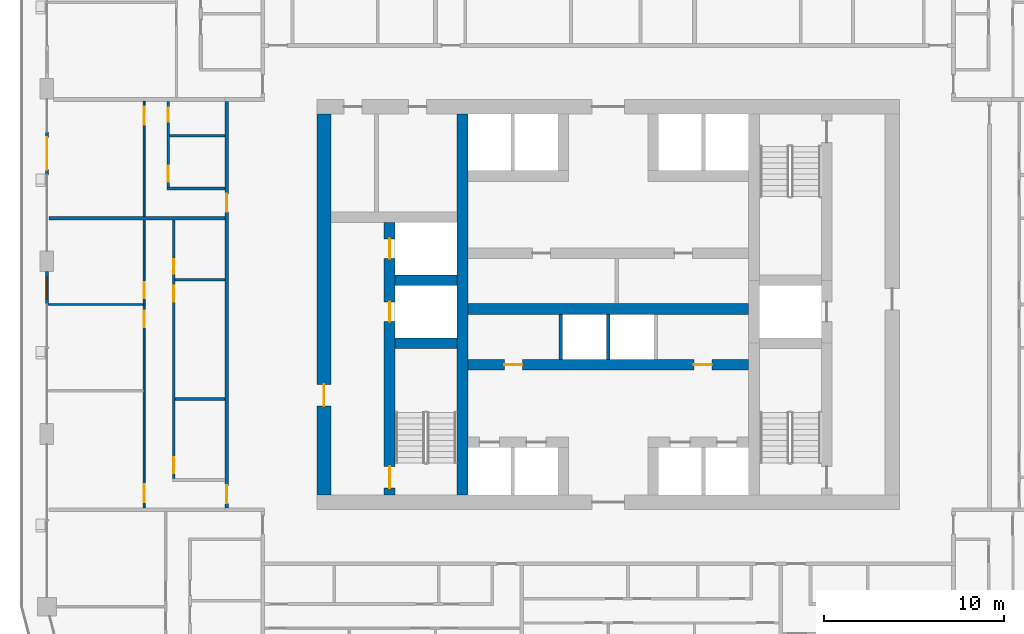
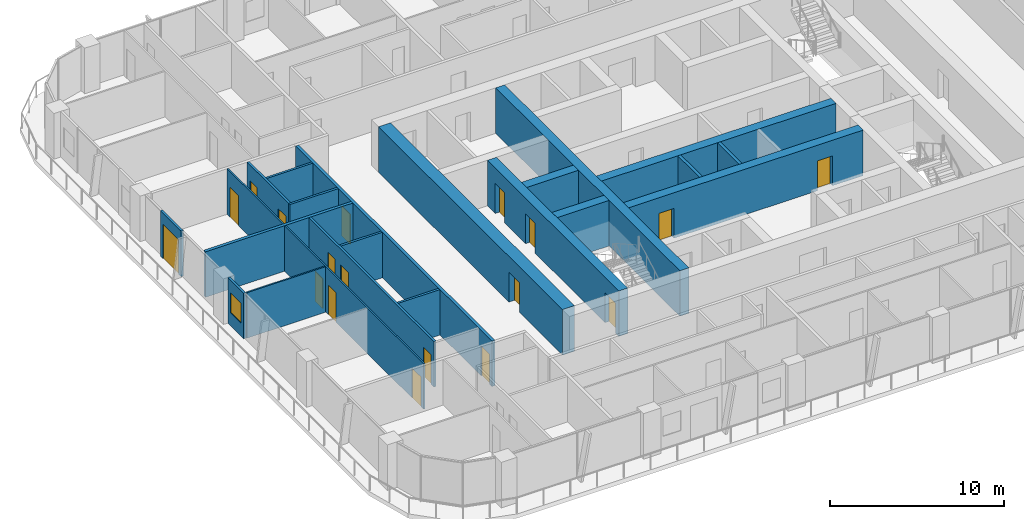
# One storey, part 10 of 22: 22 walls, 18 doors, 1 window, 19 openings.
"""IFC4 building model written with IfcOpenShell, lengths in metres."""

from ifc_helpers import new_model, si_unit, direction, frame, frame_2d, origin, place, context, subcontext, project, spatial, rectangle, extrude, material, layer, layer_set, type_object, element, fill, save


model = new_model("IFC4")

# Units and contexts
model_context = context("Model", 3, precision=1e-05, world=origin(), true_north=direction((0.0, 1.0)))
body_context = subcontext(model_context, "Body", "Model", "MODEL_VIEW")
ifc_project = project(units=[si_unit("LENGTHUNIT", "METRE"), si_unit("AREAUNIT", "SQUARE_METRE"), si_unit("VOLUMEUNIT", "CUBIC_METRE"), si_unit("PLANEANGLEUNIT", "RADIAN"), si_unit("MASSUNIT", "GRAM", prefix="KILO")], contexts=[model_context])

# Site, building, storey
site_placement = place(None, origin())
site = spatial("IfcSite", under=ifc_project, at=site_placement, CompositionType="ELEMENT")
building_placement = place(site_placement, origin())
building = spatial("IfcBuilding", under=site, at=building_placement, Name="Madar Terraces", CompositionType="ELEMENT")
storey_placement = place(building_placement, frame((0.0, 0.0, 129.60009765625)))
storey = spatial("IfcBuildingStorey", under=building, at=storey_placement, Name="L33", CompositionType="ELEMENT", Elevation=129.60009765625)

# Wall, openings, doors
ifc_material_1 = material(Name="Concrete C70/85", Category="concrete")
ifc_layer_1 = layer(ifc_material_1, 0.60009765625)
ifc_layer_set_1 = layer_set([ifc_layer_1], Name="Concrete C70/85 (CIW3 RC wall 600)")
wall_type_1 = type_object("IfcWallType", Name="CIW3 RC wall 600", PredefinedType="SHEAR", material=ifc_layer_set_1)
wall_1_placement = place(storey_placement, frame((19.050048828125, 15.800048828125, 0.0), z_axis=(0.0, 0.0, 1.0), x_axis=(0.0, 1.0, 0.0)))
wall_1 = element("IfcWall", 1, at=wall_1_placement, inside=storey, type_object=wall_type_1, Name="CORE SHAFT WALL", PredefinedType="SHEAR", context=body_context, shape_type="SweptSolid", body=[
    extrude(rectangle(XDim=15.14990234375, YDim=0.60009765625, at=frame_2d((7.574951171875, 0.0))), origin(), (0.0, 0.0, 1.0), 3.199951171875),
])
opening_1_placement = place(wall_1_placement, frame((9.64990234375, 0.0, 0.0)))
opening_1 = element("IfcOpeningElement", 2, at=opening_1_placement, cuts=wall_1, Name="Opening LD", PredefinedType="OPENING", context=body_context, shape_type="SweptSolid", body=[
    extrude(rectangle(XDim=1.10009765625, YDim=2.10009765625, at=frame_2d((0.550048828125, 1.050048828125))), frame((0.0, 0.31005859375, 0.0), z_axis=(0.0, -1.0, 0.0), x_axis=(1.0, 0.0, 0.0)), (0.0, 0.0, 1.0), 0.6201171875),
])
opening_2_placement = place(wall_1_placement, frame((13.14990234375, 0.0, 0.0)))
opening_2 = element("IfcOpeningElement", 3, at=opening_2_placement, cuts=wall_1, Name="Opening LD", PredefinedType="OPENING", context=body_context, shape_type="SweptSolid", body=[
    extrude(rectangle(XDim=1.10009765625, YDim=2.10009765625, at=frame_2d((0.550048828125, 1.050048828125))), frame((0.0, 0.31005859375, 0.0), z_axis=(0.0, -1.0, 0.0), x_axis=(1.0, 0.0, 0.0)), (0.0, 0.0, 1.0), 0.6201171875),
])
opening_3_placement = place(wall_1_placement, frame((0.39990234375, 0.0, 0.0)))
opening_3 = element("IfcOpeningElement", 4, at=opening_3_placement, cuts=wall_1, Name="Opening SD1", PredefinedType="OPENING", context=body_context, shape_type="SweptSolid", body=[
    extrude(rectangle(XDim=1.199951171875, YDim=2.10009765625, at=frame_2d((0.60009765625, 1.050048828125))), frame((0.0, 0.31005859375, 0.0), z_axis=(0.0, -1.0, 0.0), x_axis=(1.0, 0.0, 0.0)), (0.0, 0.0, 1.0), 0.6201171875),
])
ifc_material_2 = material(Name="Stainless steel panel", Category="steel")
door_type_1 = type_object("IfcDoorType", Name="Lift landing door 1100 x 2100", OperationType="DOUBLE_DOOR_SLIDING", PredefinedType="DOOR", material=ifc_material_2)
door_1_placement = place(opening_1_placement, origin())
door_1 = element("IfcDoor", 5, at=door_1_placement, inside=storey, type_object=door_type_1, Name="LIFT LANDING DOOR", OperationType="DOUBLE_DOOR_SLIDING", OverallHeight=2.10009765625, OverallWidth=1.10009765625, PredefinedType="DOOR", context=body_context, shape_type="SweptSolid", body=[
    extrude(rectangle(XDim=1.10009765625, YDim=2.10009765625, at=frame_2d((0.550048828125, 1.050048828125))), frame((0.0, 0.02490234375, 0.0), z_axis=(0.0, -1.0, 0.0), x_axis=(1.0, 0.0, 0.0)), (0.0, 0.0, 1.0), 0.050048828125),
])
fill(opening_1, door_1)
door_2_placement = place(opening_2_placement, origin())
door_2 = element("IfcDoor", 6, at=door_2_placement, inside=storey, type_object=door_type_1, Name="LIFT LANDING DOOR", OperationType="DOUBLE_DOOR_SLIDING", OverallHeight=2.10009765625, OverallWidth=1.10009765625, PredefinedType="DOOR", context=body_context, shape_type="SweptSolid", body=[
    extrude(rectangle(XDim=1.10009765625, YDim=2.10009765625, at=frame_2d((0.550048828125, 1.050048828125))), frame((0.0, 0.02490234375, 0.0), z_axis=(0.0, -1.0, 0.0), x_axis=(1.0, 0.0, 0.0)), (0.0, 0.0, 1.0), 0.050048828125),
])
fill(opening_2, door_2)
ifc_material_3 = material(Name="Steel door leaf", Category="steel")
door_type_2 = type_object("IfcDoorType", Name="Stair door 1200 x 2100", OperationType="NOTDEFINED", PredefinedType="DOOR", material=ifc_material_3)
door_3_placement = place(opening_3_placement, frame((1.199951171875, 0.0, 0.0), z_axis=(0.0, 0.0, 1.0), x_axis=(-1.0, 0.0, 0.0)))
door_3 = element("IfcDoor", 7, at=door_3_placement, inside=storey, type_object=door_type_2, Name="STAIR DOOR", OperationType="SINGLE_SWING_LEFT", OverallHeight=2.10009765625, OverallWidth=1.199951171875, PredefinedType="DOOR", context=body_context, shape_type="SweptSolid", body=[
    extrude(rectangle(XDim=1.199951171875, YDim=2.10009765625, at=frame_2d((0.60009765625, 1.050048828125))), frame((0.0, 0.02490234375, 0.0), z_axis=(0.0, -1.0, 0.0), x_axis=(1.0, 0.0, 0.0)), (0.0, 0.0, 1.0), 0.050048828125),
])
fill(opening_3, door_3)

# Walls
wall_2_placement = place(storey_placement, frame((23.10009765625, 15.800048828125, 0.0), z_axis=(0.0, 0.0, 1.0), x_axis=(0.0, 1.0, 0.0)))
element("IfcWall", 8, at=wall_2_placement, inside=storey, type_object=wall_type_1, Name="CORE SHAFT WALL", PredefinedType="SHEAR", context=body_context, shape_type="SweptSolid", body=[
    extrude(rectangle(XDim=21.199951171875, YDim=0.60009765625, at=frame_2d((10.60009765625, 0.0))), origin(), (0.0, 0.0, 1.0), 3.199951171875),
])
for number, where, z_axis, x_axis, name in (
    (9, (19.35009765625, 24.25, 0.0), (0.0, 0.0, 1.0), (1.0, 0.0, 0.0), "CORE SHAFT WALL"),
    (10, (19.35009765625, 27.75, 0.0), (0.0, 0.0, 1.0), (1.0, 0.0, 0.0), "CORE SHAFT WALL"),
):
    element("IfcWall", number, at=place(storey_placement, frame(where, z_axis=z_axis, x_axis=x_axis)), inside=storey, type_object=wall_type_1, Name=name, PredefinedType="SHEAR", context=body_context, shape_type="SweptSolid", body=[
        extrude(rectangle(XDim=3.449951171875, YDim=0.60009765625, at=frame_2d((1.72509765625, 0.0))), origin(), (0.0, 0.0, 1.0), 3.199951171875),
    ])

# Wall, openings, doors
wall_3_placement = place(storey_placement, frame((23.39990234375, 23.050048828125, 0.0), z_axis=(0.0, 0.0, 1.0), x_axis=(1.0, 0.0, 0.0)))
wall_3 = element("IfcWall", 11, at=wall_3_placement, inside=storey, type_object=wall_type_1, Name="CORE SHAFT WALL", PredefinedType="SHEAR", context=body_context, shape_type="SweptSolid", body=[
    extrude(rectangle(XDim=15.60009765625, YDim=0.60009765625, at=frame_2d((7.800048828125, 0.0))), origin(), (0.0, 0.0, 1.0), 3.199951171875),
])
opening_4_placement = place(wall_3_placement, frame((2.033447265625, 0.0, 0.0)))
opening_4 = element("IfcOpeningElement", 12, at=opening_4_placement, cuts=wall_3, Name="Opening KD2", PredefinedType="OPENING", context=body_context, shape_type="SweptSolid", body=[
    extrude(rectangle(XDim=1.0, YDim=2.10009765625, at=frame_2d((0.5, 1.050048828125))), frame((0.0, 0.31005859375, 0.0), z_axis=(0.0, -1.0, 0.0), x_axis=(1.0, 0.0, 0.0)), (0.0, 0.0, 1.0), 0.6201171875),
])
opening_5_placement = place(wall_3_placement, frame((12.566650390625, 0.0, 0.0)))
opening_5 = element("IfcOpeningElement", 13, at=opening_5_placement, cuts=wall_3, Name="Opening KD2", PredefinedType="OPENING", context=body_context, shape_type="SweptSolid", body=[
    extrude(rectangle(XDim=1.0, YDim=2.10009765625, at=frame_2d((0.5, 1.050048828125))), frame((0.0, 0.31005859375, 0.0), z_axis=(0.0, -1.0, 0.0), x_axis=(1.0, 0.0, 0.0)), (0.0, 0.0, 1.0), 0.6201171875),
])
ifc_material_4 = material(Name="Steel door leaf", Category="steel")
door_type_3 = type_object("IfcDoorType", Name="Service room door 1000 x 2100", OperationType="NOTDEFINED", PredefinedType="DOOR", material=ifc_material_4)
door_4_placement = place(opening_4_placement, frame((1.0, 0.0, 0.0), z_axis=(0.0, 0.0, 1.0), x_axis=(-1.0, 0.0, 0.0)))
door_4 = element("IfcDoor", 14, at=door_4_placement, inside=storey, type_object=door_type_3, Name="SERVICE ROOM DOOR", OperationType="SINGLE_SWING_RIGHT", OverallHeight=2.10009765625, OverallWidth=1.0, PredefinedType="DOOR", context=body_context, shape_type="SweptSolid", body=[
    extrude(rectangle(XDim=1.0, YDim=2.10009765625, at=frame_2d((0.5, 1.050048828125))), frame((0.0, 0.02490234375, 0.0), z_axis=(0.0, -1.0, 0.0), x_axis=(1.0, 0.0, 0.0)), (0.0, 0.0, 1.0), 0.050048828125),
])
fill(opening_4, door_4)
door_5_placement = place(opening_5_placement, frame((1.0, 0.0, 0.0), z_axis=(0.0, 0.0, 1.0), x_axis=(-1.0, 0.0, 0.0)))
door_5 = element("IfcDoor", 15, at=door_5_placement, inside=storey, type_object=door_type_3, Name="SERVICE ROOM DOOR", OperationType="SINGLE_SWING_LEFT", OverallHeight=2.10009765625, OverallWidth=1.0, PredefinedType="DOOR", context=body_context, shape_type="SweptSolid", body=[
    extrude(rectangle(XDim=1.0, YDim=2.10009765625, at=frame_2d((0.5, 1.050048828125))), frame((0.0, 0.02490234375, 0.0), z_axis=(0.0, -1.0, 0.0), x_axis=(1.0, 0.0, 0.0)), (0.0, 0.0, 1.0), 0.050048828125),
])
fill(opening_5, door_5)

# Wall
wall_4_placement = place(storey_placement, frame((23.39990234375, 26.14990234375, 0.0), z_axis=(0.0, 0.0, 1.0), x_axis=(1.0, 0.0, 0.0)))
element("IfcWall", 16, at=wall_4_placement, inside=storey, type_object=wall_type_1, Name="CORE SHAFT WALL", PredefinedType="SHEAR", context=body_context, shape_type="SweptSolid", body=[
    extrude(rectangle(XDim=15.60009765625, YDim=0.60009765625, at=frame_2d((7.800048828125, 0.0))), origin(), (0.0, 0.0, 1.0), 3.199951171875),
])

# Wall, opening, door
ifc_material_5 = material(Name="Concrete C70/85", Category="concrete")
ifc_layer_2 = layer(ifc_material_5, 0.800048828125)
ifc_layer_set_2 = layer_set([ifc_layer_2], Name="Concrete C70/85 (CRW3 RC wall 800)")
wall_type_2 = type_object("IfcWallType", Name="CRW3 RC wall 800", PredefinedType="SHEAR", material=ifc_layer_set_2)
wall_5_placement = place(storey_placement, frame((15.39990234375, 15.800048828125, 0.0), z_axis=(0.0, 0.0, 1.0), x_axis=(0.0, 1.0, 0.0)))
wall_5 = element("IfcWall", 17, at=wall_5_placement, inside=storey, type_object=wall_type_2, Name="CORE OUTER WALL", PredefinedType="SHEAR", context=body_context, shape_type="SweptSolid", body=[
    extrude(rectangle(XDim=21.199951171875, YDim=0.800048828125, at=frame_2d((10.60009765625, 0.0))), origin(), (0.0, 0.0, 1.0), 3.199951171875),
])
opening_6_placement = place(wall_5_placement, frame((4.9599609375, 0.0, 0.0)))
opening_6 = element("IfcOpeningElement", 18, at=opening_6_placement, cuts=wall_5, Name="Opening SD1", PredefinedType="OPENING", context=body_context, shape_type="SweptSolid", body=[
    extrude(rectangle(XDim=1.199951171875, YDim=2.10009765625, at=frame_2d((0.60009765625, 1.050048828125))), frame((0.0, 0.409912109375, 0.0), z_axis=(0.0, -1.0, 0.0), x_axis=(1.0, 0.0, 0.0)), (0.0, 0.0, 1.0), 0.820068359375),
])
door_6_placement = place(opening_6_placement, frame((1.199951171875, 0.0, 0.0), z_axis=(0.0, 0.0, 1.0), x_axis=(-1.0, 0.0, 0.0)))
door_6 = element("IfcDoor", 19, at=door_6_placement, inside=storey, type_object=door_type_2, Name="STAIR DOOR", OperationType="SINGLE_SWING_RIGHT", OverallHeight=2.10009765625, OverallWidth=1.199951171875, PredefinedType="DOOR", context=body_context, shape_type="SweptSolid", body=[
    extrude(rectangle(XDim=1.199951171875, YDim=2.10009765625, at=frame_2d((0.60009765625, 1.050048828125))), frame((0.0, 0.02490234375, 0.0), z_axis=(0.0, -1.0, 0.0), x_axis=(1.0, 0.0, 0.0)), (0.0, 0.0, 1.0), 0.050048828125),
])
fill(opening_6, door_6)

# Walls
ifc_material_6 = material(Name="Concrete C40/50", Category="concrete")
ifc_layer_3 = layer(ifc_material_6, 0.199951171875)
ifc_layer_set_3 = layer_set([ifc_layer_3], Name="Core shaft dividing wall 200 C40/50")
wall_type_3 = type_object("IfcWallType", Name="Core shaft dividing wall 200 C40/50", PredefinedType="SOLIDWALL", material=ifc_layer_set_3)
for number, where, z_axis, x_axis, name in (
    (20, (28.566650390625, 23.35009765625, 0.0), (0.0, 0.0, 1.0), (0.0, 1.0, 0.0), "SHAFT DIVIDING WALL"),
    (21, (31.199951171875, 23.35009765625, 0.0), (0.0, 0.0, 1.0), (0.0, 1.0, 0.0), "SHAFT DIVIDING WALL"),
):
    element("IfcWall", number, at=place(storey_placement, frame(where, z_axis=z_axis, x_axis=x_axis)), inside=storey, type_object=wall_type_3, Name=name, PredefinedType="SOLIDWALL", context=body_context, shape_type="SweptSolid", body=[
        extrude(rectangle(XDim=2.5, YDim=0.199951171875, at=frame_2d((1.25, 0.0))), origin(), (0.0, 0.0, 1.0), 3.199951171875),
    ])

# Wall, opening, door
ifc_material_7 = material(Name="Aluminium composite panel, black, over insulated backing", Category="aluminium")
ifc_layer_4 = layer(ifc_material_7, 0.14990234375)
ifc_layer_set_4 = layer_set([ifc_layer_4], Name="Facade bay panel 150")
wall_type_4 = type_object("IfcWallType", Name="Facade bay panel 150", PredefinedType="SOLIDWALL", material=ifc_layer_set_4)
wall_6_placement = place(storey_placement, frame((0.0, 36.0, 0.0), z_axis=(0.0, 0.0, 1.0), x_axis=(0.0, -1.0, 0.0)))
wall_6 = element("IfcWall", 22, at=wall_6_placement, inside=storey, type_object=wall_type_4, Name="Facade bay panel", PredefinedType="SOLIDWALL", context=body_context, shape_type="SweptSolid", body=[
    extrude(rectangle(XDim=2.39990234375, YDim=0.14990234375, at=frame_2d((1.199951171875, 0.0))), origin(), (0.0, 0.0, 1.0), 3.199951171875),
])
opening_7_placement = place(wall_6_placement, frame((0.300048828125, 0.0, 0.0)))
opening_7 = element("IfcOpeningElement", 23, at=opening_7_placement, cuts=wall_6, Name="Opening ED1", PredefinedType="OPENING", context=body_context, shape_type="SweptSolid", body=[
    extrude(rectangle(XDim=1.800048828125, YDim=2.39990234375, at=frame_2d((0.89990234375, 1.199951171875))), frame((0.0, 0.0849609375, 0.0), z_axis=(0.0, -1.0, 0.0), x_axis=(1.0, 0.0, 0.0)), (0.0, 0.0, 1.0), 0.169921875),
])
ifc_material_8 = material(Name="Glass, clear, with black aluminium frame", Category="aluminium")
door_type_4 = type_object("IfcDoorType", Name="Balcony and terrace sliding door 1800 x 2400", OperationType="SLIDING_TO_LEFT", PredefinedType="DOOR", material=ifc_material_8)
door_7_placement = place(opening_7_placement, origin())
door_7 = element("IfcDoor", 24, at=door_7_placement, inside=storey, type_object=door_type_4, Name="Balcony door", OperationType="SLIDING_TO_LEFT", OverallHeight=2.39990234375, OverallWidth=1.800048828125, PredefinedType="DOOR", context=body_context, shape_type="SweptSolid", body=[
    extrude(rectangle(XDim=1.800048828125, YDim=2.39990234375, at=frame_2d((0.89990234375, 1.199951171875))), frame((0.0, 0.02490234375, 0.0), z_axis=(0.0, -1.0, 0.0), x_axis=(1.0, 0.0, 0.0)), (0.0, 0.0, 1.0), 0.050048828125),
])
fill(opening_7, door_7)

# Wall, opening, window
wall_7_placement = place(storey_placement, frame((0.0, 28.22509765625, 0.0), z_axis=(0.0, 0.0, 1.0), x_axis=(0.0, -1.0, 0.0)))
wall_7 = element("IfcWall", 25, at=wall_7_placement, inside=storey, type_object=wall_type_4, Name="Facade bay panel", PredefinedType="SOLIDWALL", context=body_context, shape_type="SweptSolid", body=[
    extrude(rectangle(XDim=1.8251953125, YDim=0.14990234375, at=frame_2d((0.91259765625, 0.0))), origin(), (0.0, 0.0, 1.0), 3.199951171875),
])
opening_8_placement = place(wall_7_placement, frame((0.3125, 0.0, 0.89990234375)))
opening_8 = element("IfcOpeningElement", 26, at=opening_8_placement, cuts=wall_7, Name="Opening W1", PredefinedType="OPENING", context=body_context, shape_type="SweptSolid", body=[
    extrude(rectangle(XDim=1.199951171875, YDim=1.39990234375, at=frame_2d((0.60009765625, 0.699951171875))), frame((0.0, 0.0849609375, 0.0), z_axis=(0.0, -1.0, 0.0), x_axis=(1.0, 0.0, 0.0)), (0.0, 0.0, 1.0), 0.169921875),
])
ifc_material_9 = material(Name="Glass, clear, with black aluminium frame", Category="aluminium")
window_type = type_object("IfcWindowType", Name="Vent window 1200 x 1400", PartitioningType="SINGLE_PANEL", PredefinedType="WINDOW", material=ifc_material_9)
window_placement = place(opening_8_placement, origin())
window = element("IfcWindow", 27, at=window_placement, inside=storey, type_object=window_type, Name="Operable vent window", OverallHeight=1.39990234375, OverallWidth=1.199951171875, PartitioningType="SINGLE_PANEL", PredefinedType="WINDOW", context=body_context, shape_type="SweptSolid", body=[
    extrude(rectangle(XDim=1.199951171875, YDim=1.39990234375, at=frame_2d((0.60009765625, 0.699951171875))), frame((0.0, 0.030029296875, 0.0), z_axis=(0.0, -1.0, 0.0), x_axis=(1.0, 0.0, 0.0)), (0.0, 0.0, 1.0), 0.06005859375),
])
fill(opening_8, window)

# Wall, opening, door
ifc_material_10 = material(Name="Gypsum board on steel studs", Category="steel")
ifc_layer_5 = layer(ifc_material_10, 0.10009765625)
ifc_layer_set_5 = layer_set([ifc_layer_5], Name="Flat partition 100")
wall_type_5 = type_object("IfcWallType", Name="Flat partition 100", PredefinedType="PARTITIONING", material=ifc_layer_set_5)
wall_8_placement = place(storey_placement, frame((5.39990234375, 31.300048828125, 0.0), z_axis=(0.0, 0.0, 1.0), x_axis=(0.0, 1.0, 0.0)))
wall_8 = element("IfcWall", 28, at=wall_8_placement, inside=storey, type_object=wall_type_5, Name="Flat partition 100", PredefinedType="PARTITIONING", context=body_context, shape_type="SweptSolid", body=[
    extrude(rectangle(XDim=6.39990234375, YDim=0.10009765625, at=frame_2d((3.199951171875, 0.0))), origin(), (0.0, 0.0, 1.0), 3.199951171875),
])
opening_9_placement = place(wall_8_placement, frame((5.10009765625, 0.0, 0.0)))
opening_9 = element("IfcOpeningElement", 29, at=opening_9_placement, cuts=wall_8, Name="Opening D3", PredefinedType="OPENING", context=body_context, shape_type="SweptSolid", body=[
    extrude(rectangle(XDim=1.0, YDim=2.10009765625, at=frame_2d((0.5, 1.050048828125))), frame((0.0, 0.06005859375, 0.0), z_axis=(0.0, -1.0, 0.0), x_axis=(1.0, 0.0, 0.0)), (0.0, 0.0, 1.0), 0.1201171875),
])
ifc_material_11 = material(Name="Timber door leaf", Category="wood")
door_type_5 = type_object("IfcDoorType", Name="Flat living room door 1000", OperationType="NOTDEFINED", PredefinedType="DOOR", material=ifc_material_11)
door_8_placement = place(opening_9_placement, origin())
door_8 = element("IfcDoor", 30, at=door_8_placement, inside=storey, type_object=door_type_5, Name="Flat living room door 1000", OperationType="SINGLE_SWING_RIGHT", OverallHeight=2.10009765625, OverallWidth=1.0, PredefinedType="DOOR", context=body_context, shape_type="SweptSolid", body=[
    extrude(rectangle(XDim=1.0, YDim=2.10009765625, at=frame_2d((0.5, 1.050048828125))), frame((0.0, 0.02490234375, 0.0), z_axis=(0.0, -1.0, 0.0), x_axis=(1.0, 0.0, 0.0)), (0.0, 0.0, 1.0), 0.050048828125),
])
fill(opening_9, door_8)

# Wall
wall_9_placement = place(storey_placement, frame((5.35009765625, 26.39990234375, 0.0), z_axis=(0.0, 0.0, 1.0), x_axis=(-1.0, 0.0, 0.0)))
element("IfcWall", 31, at=wall_9_placement, inside=storey, type_object=wall_type_5, Name="Flat partition 100", PredefinedType="PARTITIONING", context=body_context, shape_type="SweptSolid", body=[
    extrude(rectangle(XDim=5.25, YDim=0.10009765625, at=frame_2d((2.625, 0.0))), origin(), (0.0, 0.0, 1.0), 3.199951171875),
])

# Wall, openings, doors
wall_10_placement = place(storey_placement, frame((5.39990234375, 15.10009765625, 0.0), z_axis=(0.0, 0.0, 1.0), x_axis=(0.0, 1.0, 0.0)))
wall_10 = element("IfcWall", 32, at=wall_10_placement, inside=storey, type_object=wall_type_5, Name="Flat partition 100", PredefinedType="PARTITIONING", context=body_context, shape_type="SweptSolid", body=[
    extrude(rectangle(XDim=16.0, YDim=0.10009765625, at=frame_2d((8.0, 0.0))), origin(), (0.0, 0.0, 1.0), 3.199951171875),
])
opening_10_placement = place(wall_10_placement, frame((0.300048828125, 0.0, 0.0)))
opening_10 = element("IfcOpeningElement", 33, at=opening_10_placement, cuts=wall_10, Name="Opening D3", PredefinedType="OPENING", context=body_context, shape_type="SweptSolid", body=[
    extrude(rectangle(XDim=1.0, YDim=2.10009765625, at=frame_2d((0.5, 1.050048828125))), frame((0.0, 0.06005859375, 0.0), z_axis=(0.0, -1.0, 0.0), x_axis=(1.0, 0.0, 0.0)), (0.0, 0.0, 1.0), 0.1201171875),
])
opening_11_placement = place(wall_10_placement, frame((10.050048828125, 0.0, 0.0)))
opening_11 = element("IfcOpeningElement", 34, at=opening_11_placement, cuts=wall_10, Name="Opening D2", PredefinedType="OPENING", context=body_context, shape_type="SweptSolid", body=[
    extrude(rectangle(XDim=0.89990234375, YDim=2.10009765625, at=frame_2d((0.449951171875, 1.050048828125))), frame((0.0, 0.06005859375, 0.0), z_axis=(0.0, -1.0, 0.0), x_axis=(1.0, 0.0, 0.0)), (0.0, 0.0, 1.0), 0.1201171875),
])
opening_12_placement = place(wall_10_placement, frame((11.64990234375, 0.0, 0.0)))
opening_12 = element("IfcOpeningElement", 35, at=opening_12_placement, cuts=wall_10, Name="Opening D2", PredefinedType="OPENING", context=body_context, shape_type="SweptSolid", body=[
    extrude(rectangle(XDim=0.89990234375, YDim=2.10009765625, at=frame_2d((0.449951171875, 1.050048828125))), frame((0.0, 0.06005859375, 0.0), z_axis=(0.0, -1.0, 0.0), x_axis=(1.0, 0.0, 0.0)), (0.0, 0.0, 1.0), 0.1201171875),
])
door_9_placement = place(opening_10_placement, origin())
door_9 = element("IfcDoor", 36, at=door_9_placement, inside=storey, type_object=door_type_5, Name="Flat living room door 1000", OperationType="SINGLE_SWING_LEFT", OverallHeight=2.10009765625, OverallWidth=1.0, PredefinedType="DOOR", context=body_context, shape_type="SweptSolid", body=[
    extrude(rectangle(XDim=1.0, YDim=2.10009765625, at=frame_2d((0.5, 1.050048828125))), frame((0.0, 0.02490234375, 0.0), z_axis=(0.0, -1.0, 0.0), x_axis=(1.0, 0.0, 0.0)), (0.0, 0.0, 1.0), 0.050048828125),
])
fill(opening_10, door_9)
ifc_material_12 = material(Name="Timber door leaf", Category="wood")
door_type_6 = type_object("IfcDoorType", Name="Flat room door 900", OperationType="NOTDEFINED", PredefinedType="DOOR", material=ifc_material_12)
door_10_placement = place(opening_11_placement, origin())
door_10 = element("IfcDoor", 37, at=door_10_placement, inside=storey, type_object=door_type_6, Name="Flat room door 900", OperationType="SINGLE_SWING_RIGHT", OverallHeight=2.10009765625, OverallWidth=0.89990234375, PredefinedType="DOOR", context=body_context, shape_type="SweptSolid", body=[
    extrude(rectangle(XDim=0.89990234375, YDim=2.10009765625, at=frame_2d((0.449951171875, 1.050048828125))), frame((0.0, 0.02490234375, 0.0), z_axis=(0.0, -1.0, 0.0), x_axis=(1.0, 0.0, 0.0)), (0.0, 0.0, 1.0), 0.050048828125),
])
fill(opening_11, door_10)
door_11_placement = place(opening_12_placement, origin())
door_11 = element("IfcDoor", 38, at=door_11_placement, inside=storey, type_object=door_type_6, Name="Flat room door 900", OperationType="SINGLE_SWING_LEFT", OverallHeight=2.10009765625, OverallWidth=0.89990234375, PredefinedType="DOOR", context=body_context, shape_type="SweptSolid", body=[
    extrude(rectangle(XDim=0.89990234375, YDim=2.10009765625, at=frame_2d((0.449951171875, 1.050048828125))), frame((0.0, 0.02490234375, 0.0), z_axis=(0.0, -1.0, 0.0), x_axis=(1.0, 0.0, 0.0)), (0.0, 0.0, 1.0), 0.050048828125),
])
fill(opening_12, door_11)

ifc_material_13 = material(Name="Lightweight blockwork", Category="masonry")
ifc_layer_6 = layer(ifc_material_13, 0.199951171875)
ifc_layer_set_6 = layer_set([ifc_layer_6], Name="Flat party and entrance wall 200")
wall_type_6 = type_object("IfcWallType", Name="Flat party and entrance wall 200", PredefinedType="PARTITIONING", material=ifc_layer_set_6)
wall_11_placement = place(storey_placement, frame((10.0, 15.10009765625, 0.0), z_axis=(0.0, 0.0, 1.0), x_axis=(0.0, 1.0, 0.0)))
wall_11 = element("IfcWall", 39, at=wall_11_placement, inside=storey, type_object=wall_type_6, Name="Flat party and entrance wall 200", PredefinedType="PARTITIONING", context=body_context, shape_type="SweptSolid", body=[
    extrude(rectangle(XDim=22.599853515625, YDim=0.199951171875, at=frame_2d((11.2998046875, 0.0))), origin(), (0.0, 0.0, 1.0), 3.199951171875),
])
opening_13_placement = place(wall_11_placement, frame((16.449951171875, 0.0, 0.0)))
opening_13 = element("IfcOpeningElement", 40, at=opening_13_placement, cuts=wall_11, Name="Opening D1", PredefinedType="OPENING", context=body_context, shape_type="SweptSolid", body=[
    extrude(rectangle(XDim=1.0, YDim=2.10009765625, at=frame_2d((0.5, 1.050048828125))), frame((0.0, 0.10986328125, 0.0), z_axis=(0.0, -1.0, 0.0), x_axis=(1.0, 0.0, 0.0)), (0.0, 0.0, 1.0), 0.219970703125),
])
opening_14_placement = place(wall_11_placement, frame((0.25, 0.0, 0.0)))
opening_14 = element("IfcOpeningElement", 41, at=opening_14_placement, cuts=wall_11, Name="Opening D1", PredefinedType="OPENING", context=body_context, shape_type="SweptSolid", body=[
    extrude(rectangle(XDim=1.0, YDim=2.10009765625, at=frame_2d((0.5, 1.050048828125))), frame((0.0, 0.10986328125, 0.0), z_axis=(0.0, -1.0, 0.0), x_axis=(1.0, 0.0, 0.0)), (0.0, 0.0, 1.0), 0.219970703125),
])
ifc_material_14 = material(Name="Timber fire door leaf", Category="wood")
door_type_7 = type_object("IfcDoorType", Name="Flat entrance door 1000 FD30S", OperationType="NOTDEFINED", PredefinedType="DOOR", material=ifc_material_14)
door_12_placement = place(opening_13_placement, origin())
door_12 = element("IfcDoor", 42, at=door_12_placement, inside=storey, type_object=door_type_7, Name="Flat entrance door 1000 FD30S", OperationType="SINGLE_SWING_LEFT", OverallHeight=2.10009765625, OverallWidth=1.0, PredefinedType="DOOR", context=body_context, shape_type="SweptSolid", body=[
    extrude(rectangle(XDim=1.0, YDim=2.10009765625, at=frame_2d((0.5, 1.050048828125))), frame((0.0, 0.02490234375, 0.0), z_axis=(0.0, -1.0, 0.0), x_axis=(1.0, 0.0, 0.0)), (0.0, 0.0, 1.0), 0.050048828125),
])
fill(opening_13, door_12)
door_13_placement = place(opening_14_placement, origin())
door_13 = element("IfcDoor", 43, at=door_13_placement, inside=storey, type_object=door_type_7, Name="Flat entrance door 1000 FD30S", OperationType="SINGLE_SWING_LEFT", OverallHeight=2.10009765625, OverallWidth=1.0, PredefinedType="DOOR", context=body_context, shape_type="SweptSolid", body=[
    extrude(rectangle(XDim=1.0, YDim=2.10009765625, at=frame_2d((0.5, 1.050048828125))), frame((0.0, 0.02490234375, 0.0), z_axis=(0.0, -1.0, 0.0), x_axis=(1.0, 0.0, 0.0)), (0.0, 0.0, 1.0), 0.050048828125),
])
fill(opening_14, door_13)

# Walls
wall_12_placement = place(storey_placement, frame((0.10009765625, 31.199951171875, 0.0), z_axis=(0.0, 0.0, 1.0), x_axis=(1.0, 0.0, 0.0)))
element("IfcWall", 44, at=wall_12_placement, inside=storey, type_object=wall_type_6, Name="Flat party and entrance wall 200", PredefinedType="PARTITIONING", context=body_context, shape_type="SweptSolid", body=[
    extrude(rectangle(XDim=9.7998046875, YDim=0.199951171875, at=frame_2d((4.89990234375, 0.0))), origin(), (0.0, 0.0, 1.0), 3.199951171875),
])
ifc_material_15 = material(Name="Lightweight blockwork", Category="masonry")
ifc_layer_7 = layer(ifc_material_15, 0.14990234375)
ifc_layer_set_7 = layer_set([ifc_layer_7], Name="Flat wet-room partition 150")
wall_type_7 = type_object("IfcWallType", Name="Flat wet-room partition 150", PredefinedType="PARTITIONING", material=ifc_layer_set_7)
wall_13_placement = place(storey_placement, frame((9.89990234375, 35.7900390625, 0.0), z_axis=(0.0, 0.0, 1.0), x_axis=(-1.0, 0.0, 0.0)))
element("IfcWall", 45, at=wall_13_placement, inside=storey, type_object=wall_type_7, Name="Flat wet-room partition 150", PredefinedType="PARTITIONING", context=body_context, shape_type="SweptSolid", body=[
    extrude(rectangle(XDim=3.074951171875, YDim=0.14990234375, at=frame_2d((1.53759765625, 0.0))), origin(), (0.0, 0.0, 1.0), 3.199951171875),
])
wall_14_placement = place(storey_placement, frame((9.89990234375, 32.85009765625, 0.0), z_axis=(0.0, 0.0, 1.0), x_axis=(-1.0, 0.0, 0.0)))
element("IfcWall", 46, at=wall_14_placement, inside=storey, type_object=wall_type_7, Name="Flat wet-room partition 150", PredefinedType="PARTITIONING", context=body_context, shape_type="SweptSolid", body=[
    extrude(rectangle(XDim=3.224853515625, YDim=0.14990234375, at=frame_2d((1.6123046875, 0.0))), origin(), (0.0, 0.0, 1.0), 3.199951171875),
])

# Wall, openings, doors
wall_15_placement = place(storey_placement, frame((6.75, 37.699951171875, 0.0), z_axis=(0.0, 0.0, 1.0), x_axis=(0.0, -1.0, 0.0)))
wall_15 = element("IfcWall", 47, at=wall_15_placement, inside=storey, type_object=wall_type_7, Name="Flat wet-room partition 150", PredefinedType="PARTITIONING", context=body_context, shape_type="SweptSolid", body=[
    extrude(rectangle(XDim=4.77490234375, YDim=0.14990234375, at=frame_2d((2.387451171875, 0.0))), origin(), (0.0, 0.0, 1.0), 3.199951171875),
])
opening_15_placement = place(wall_15_placement, frame((3.574951171875, 0.0, 0.0)))
opening_15 = element("IfcOpeningElement", 48, at=opening_15_placement, cuts=wall_15, Name="Opening D2", PredefinedType="OPENING", context=body_context, shape_type="SweptSolid", body=[
    extrude(rectangle(XDim=0.89990234375, YDim=2.10009765625, at=frame_2d((0.449951171875, 1.050048828125))), frame((0.0, 0.0849609375, 0.0), z_axis=(0.0, -1.0, 0.0), x_axis=(1.0, 0.0, 0.0)), (0.0, 0.0, 1.0), 0.169921875),
])
opening_16_placement = place(wall_15_placement, frame((0.35009765625, 0.0, 0.0)))
opening_16 = element("IfcOpeningElement", 49, at=opening_16_placement, cuts=wall_15, Name="Opening D4", PredefinedType="OPENING", context=body_context, shape_type="SweptSolid", body=[
    extrude(rectangle(XDim=0.800048828125, YDim=2.10009765625, at=frame_2d((0.39990234375, 1.050048828125))), frame((0.0, 0.0849609375, 0.0), z_axis=(0.0, -1.0, 0.0), x_axis=(1.0, 0.0, 0.0)), (0.0, 0.0, 1.0), 0.169921875),
])
ifc_material_16 = material(Name="Timber door leaf", Category="wood")
door_type_8 = type_object("IfcDoorType", Name="Flat bathroom door 800", OperationType="NOTDEFINED", PredefinedType="DOOR", material=ifc_material_16)
door_14_placement = place(opening_16_placement, origin())
door_14 = element("IfcDoor", 50, at=door_14_placement, inside=storey, type_object=door_type_8, Name="Flat bathroom door 800", OperationType="SINGLE_SWING_LEFT", OverallHeight=2.10009765625, OverallWidth=0.800048828125, PredefinedType="DOOR", context=body_context, shape_type="SweptSolid", body=[
    extrude(rectangle(XDim=0.800048828125, YDim=2.10009765625, at=frame_2d((0.39990234375, 1.050048828125))), frame((0.0, 0.02490234375, 0.0), z_axis=(0.0, -1.0, 0.0), x_axis=(1.0, 0.0, 0.0)), (0.0, 0.0, 1.0), 0.050048828125),
])
fill(opening_16, door_14)
door_15_placement = place(opening_15_placement, origin())
door_15 = element("IfcDoor", 51, at=door_15_placement, inside=storey, type_object=door_type_6, Name="Flat room door 900", OperationType="SINGLE_SWING_RIGHT", OverallHeight=2.10009765625, OverallWidth=0.89990234375, PredefinedType="DOOR", context=body_context, shape_type="SweptSolid", body=[
    extrude(rectangle(XDim=0.89990234375, YDim=2.10009765625, at=frame_2d((0.449951171875, 1.050048828125))), frame((0.0, 0.02490234375, 0.0), z_axis=(0.0, -1.0, 0.0), x_axis=(1.0, 0.0, 0.0)), (0.0, 0.0, 1.0), 0.050048828125),
])
fill(opening_15, door_15)

# Walls
for number, where, z_axis, x_axis, name in (
    (52, (9.89990234375, 21.148193359375, 0.0), (0.0, 0.0, 1.0), (-1.0, 0.0, 0.0), "Flat wet-room partition 150"),
    (53, (9.89990234375, 27.78271484375, 0.0), (0.0, 0.0, 1.0), (-1.0, 0.0, 0.0), "Flat wet-room partition 150"),
):
    element("IfcWall", number, at=place(storey_placement, frame(where, z_axis=z_axis, x_axis=x_axis)), inside=storey, type_object=wall_type_7, Name=name, PredefinedType="PARTITIONING", context=body_context, shape_type="SweptSolid", body=[
        extrude(rectangle(XDim=2.77490234375, YDim=0.14990234375, at=frame_2d((1.387451171875, 0.0))), origin(), (0.0, 0.0, 1.0), 3.199951171875),
    ])

# Wall, openings, doors
wall_16_placement = place(storey_placement, frame((7.050048828125, 31.10009765625, 0.0), z_axis=(0.0, 0.0, 1.0), x_axis=(0.0, -1.0, 0.0)))
wall_16 = element("IfcWall", 54, at=wall_16_placement, inside=storey, type_object=wall_type_7, Name="Flat wet-room partition 150", PredefinedType="PARTITIONING", context=body_context, shape_type="SweptSolid", body=[
    extrude(rectangle(XDim=14.375, YDim=0.14990234375, at=frame_2d((7.1875, 0.0))), origin(), (0.0, 0.0, 1.0), 3.199951171875),
])
opening_17_placement = place(wall_16_placement, frame((13.175048828125, 0.0, 0.0)))
opening_17 = element("IfcOpeningElement", 55, at=opening_17_placement, cuts=wall_16, Name="Opening D5", PredefinedType="OPENING", context=body_context, shape_type="SweptSolid", body=[
    extrude(rectangle(XDim=0.89990234375, YDim=2.10009765625, at=frame_2d((0.449951171875, 1.050048828125))), frame((0.0, 0.0849609375, 0.0), z_axis=(0.0, -1.0, 0.0), x_axis=(1.0, 0.0, 0.0)), (0.0, 0.0, 1.0), 0.169921875),
])
opening_18_placement = place(wall_16_placement, frame((3.642333984375, 0.0, 0.0)))
opening_18 = element("IfcOpeningElement", 56, at=opening_18_placement, cuts=wall_16, Name="Opening D2", PredefinedType="OPENING", context=body_context, shape_type="SweptSolid", body=[
    extrude(rectangle(XDim=0.89990234375, YDim=2.10009765625, at=frame_2d((0.449951171875, 1.050048828125))), frame((0.0, 0.0849609375, 0.0), z_axis=(0.0, -1.0, 0.0), x_axis=(1.0, 0.0, 0.0)), (0.0, 0.0, 1.0), 0.169921875),
])
opening_19_placement = place(wall_16_placement, frame((2.1923828125, 0.0, 0.0)))
opening_19 = element("IfcOpeningElement", 57, at=opening_19_placement, cuts=wall_16, Name="Opening D4", PredefinedType="OPENING", context=body_context, shape_type="SweptSolid", body=[
    extrude(rectangle(XDim=0.800048828125, YDim=2.10009765625, at=frame_2d((0.39990234375, 1.050048828125))), frame((0.0, 0.0849609375, 0.0), z_axis=(0.0, -1.0, 0.0), x_axis=(1.0, 0.0, 0.0)), (0.0, 0.0, 1.0), 0.169921875),
])
ifc_material_17 = material(Name="Timber door leaf", Category="wood")
door_type_9 = type_object("IfcDoorType", Name="Flat accessible bathroom door 900", OperationType="NOTDEFINED", PredefinedType="DOOR", material=ifc_material_17)
door_16_placement = place(opening_17_placement, origin())
door_16 = element("IfcDoor", 58, at=door_16_placement, inside=storey, type_object=door_type_9, Name="Flat accessible bathroom door 900", OperationType="SINGLE_SWING_RIGHT", OverallHeight=2.10009765625, OverallWidth=0.89990234375, PredefinedType="DOOR", context=body_context, shape_type="SweptSolid", body=[
    extrude(rectangle(XDim=0.89990234375, YDim=2.10009765625, at=frame_2d((0.449951171875, 1.050048828125))), frame((0.0, 0.02490234375, 0.0), z_axis=(0.0, -1.0, 0.0), x_axis=(1.0, 0.0, 0.0)), (0.0, 0.0, 1.0), 0.050048828125),
])
fill(opening_17, door_16)
door_17_placement = place(opening_19_placement, origin())
door_17 = element("IfcDoor", 59, at=door_17_placement, inside=storey, type_object=door_type_8, Name="Flat bathroom door 800", OperationType="SINGLE_SWING_RIGHT", OverallHeight=2.10009765625, OverallWidth=0.800048828125, PredefinedType="DOOR", context=body_context, shape_type="SweptSolid", body=[
    extrude(rectangle(XDim=0.800048828125, YDim=2.10009765625, at=frame_2d((0.39990234375, 1.050048828125))), frame((0.0, 0.02490234375, 0.0), z_axis=(0.0, -1.0, 0.0), x_axis=(1.0, 0.0, 0.0)), (0.0, 0.0, 1.0), 0.050048828125),
])
fill(opening_19, door_17)
door_18_placement = place(opening_18_placement, origin())
door_18 = element("IfcDoor", 60, at=door_18_placement, inside=storey, type_object=door_type_6, Name="Flat room door 900", OperationType="SINGLE_SWING_LEFT", OverallHeight=2.10009765625, OverallWidth=0.89990234375, PredefinedType="DOOR", context=body_context, shape_type="SweptSolid", body=[
    extrude(rectangle(XDim=0.89990234375, YDim=2.10009765625, at=frame_2d((0.449951171875, 1.050048828125))), frame((0.0, 0.02490234375, 0.0), z_axis=(0.0, -1.0, 0.0), x_axis=(1.0, 0.0, 0.0)), (0.0, 0.0, 1.0), 0.050048828125),
])
fill(opening_18, door_18)

save(model, "model.ifc")
